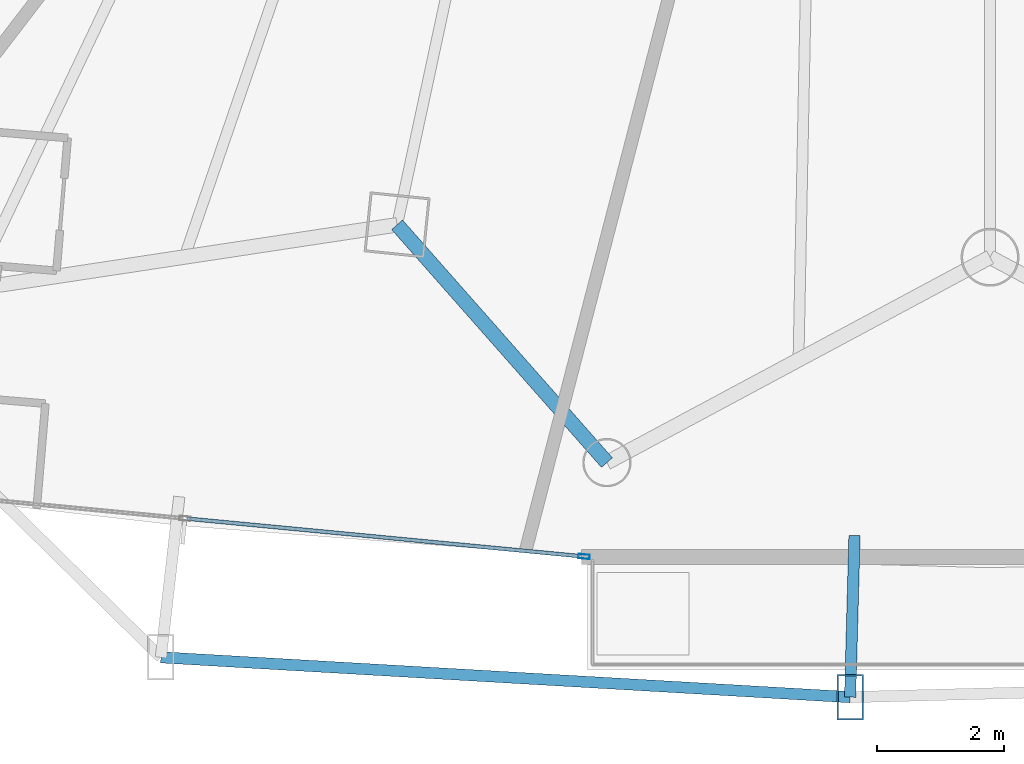
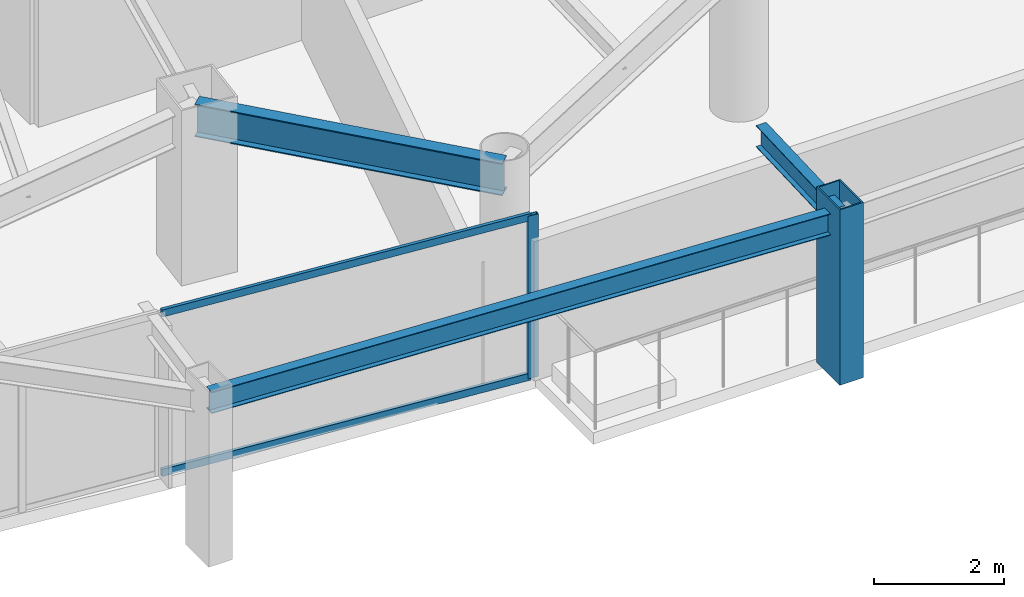
# One storey, part 6 of 34: 4 members, 3 beams, 1 element without a shape of its own.
"""IFC4 building model written with IfcOpenShell, lengths in metres."""

from ifc_helpers import new_model, si_unit, direction, frame, origin, origin_2d, place, context, subcontext, project, spatial, hollow_rectangle, i_section, extrude, material, layer, layer_set, material_profile, profile_set, type_object, element, aggregate, save


model = new_model("IFC4")

# Units and contexts
model_context = context("Model", 3, precision=1e-05, world=origin(), true_north=direction((0.0, 1.0)))
body_context = subcontext(model_context, "Body", "Model", "MODEL_VIEW")
ifc_project = project(units=[si_unit("LENGTHUNIT", "METRE"), si_unit("AREAUNIT", "SQUARE_METRE"), si_unit("VOLUMEUNIT", "CUBIC_METRE"), si_unit("PLANEANGLEUNIT", "RADIAN"), si_unit("MASSUNIT", "GRAM", prefix="KILO")], contexts=[model_context])

# Site, building, storey
site_placement = place(None, origin())
site = spatial("IfcSite", under=ifc_project, at=site_placement, CompositionType="ELEMENT")
building_placement = place(site_placement, origin())
building = spatial("IfcBuilding", under=site, at=building_placement, Name="Orvanel Arch Residences", CompositionType="ELEMENT")
storey_placement = place(building_placement, frame((0.0, 0.0, 74.14990234375)))
storey = spatial("IfcBuildingStorey", under=building, at=storey_placement, Name="L20", CompositionType="ELEMENT", Elevation=74.14990234375)

# Member
ifc_material_1 = material(Name="Structural steel AS/NZS 3678 Grade 350", Category="steel")
ifc_material_profile_1 = material_profile(ifc_material_1, hollow_rectangle(XDim=0.419921875, YDim=0.719970703125, WallThickness=0.02490234375, at=origin_2d()), Name="RHS720x420x25")
ifc_profile_set_1 = profile_set([ifc_material_profile_1], Name="Structural steel AS/NZS 3678 Grade 350")
member_type_1 = type_object("IfcMemberType", Name="CH-720RHS-EXT", PredefinedType="CHORD", material=ifc_profile_set_1)
member_1_placement = place(storey_placement, frame((30.79296875, -0.093994140625, 0.0), z_axis=(0.0, 0.0, 1.0), x_axis=(1.0, 0.0, 0.0)))
element("IfcMember", 1, at=member_1_placement, inside=storey, type_object=member_type_1, Name="L20 Outer Perimeter Frame Post 06", PredefinedType="CHORD", context=body_context, shape_type="SweptSolid", body=[
    extrude(hollow_rectangle(XDim=0.419921875, YDim=0.719970703125, WallThickness=0.02490234375, at=origin_2d()), origin(), (0.0, 0.0, 1.0), 3.300048828125),
])

# Curtain wall, member
ifc_material_2 = material(Name="Bronze-anodised aluminium AA6063-T6", Category="aluminium")
ifc_layer = layer(ifc_material_2, 0.179931640625)
ifc_layer_set = layer_set([ifc_layer], Name="Bronze-anodised aluminium AA6063-T6")
curtain_wall_type = type_object("IfcCurtainWallType", Name="CW2-LOW-SYS", PredefinedType="NOTDEFINED", material=ifc_layer_set)
curtain_wall_placement = place(storey_placement, origin())
curtain_wall = element("IfcCurtainWall", 2, at=curtain_wall_placement, inside=storey, type_object=curtain_wall_type, Name="L20 CW2-LOW-SYS Unitised Curtain Wall", PredefinedType="NOTDEFINED")
ifc_material_profile_2 = material_profile(ifc_material_2, hollow_rectangle(XDim=0.070068359375, YDim=0.179931640625, WallThickness=0.00439453125, at=origin_2d()), Name="ALU180x70x4.5")
ifc_profile_set_2 = profile_set([ifc_material_profile_2], Name="Bronze-anodised aluminium AA6063-T6")
member_type_2 = type_object("IfcMemberType", Name="MUL-180x70", PredefinedType="MULLION", material=ifc_profile_set_2)
member_2_placement = place(storey_placement, frame((26.59716796875, 2.123291015625, 0.0), z_axis=(0.0, 0.0, 1.0), x_axis=(0.095024396079, 0.995474944009, 0.0)))
member_2 = element("IfcMember", 3, at=member_2_placement, type_object=member_type_2, Name="CW-S2 mullion 3", PredefinedType="MULLION", context=body_context, shape_type="SweptSolid", body=[
    extrude(hollow_rectangle(XDim=0.070068359375, YDim=0.179931640625, WallThickness=0.00439453125, at=origin_2d()), origin(), (0.0, 0.0, 1.0), 3.06005859375),
])

# Beams
ifc_material_3 = material(Name="Structural steel AS/NZS 3679.1 Grade 300 (300 MPa)", Category="steel")
ifc_material_profile_3 = material_profile(ifc_material_3, i_section(OverallWidth=0.177978515625, OverallDepth=0.406005859375, WebThickness=0.0078125, FlangeThickness=0.0126953125, at=origin_2d()), Name="410UB59.7")
ifc_profile_set_3 = profile_set([ifc_material_profile_3], Name="Structural steel AS/NZS 3679.1 Grade 300 (300 MPa)")
beam_type_1 = type_object("IfcBeamType", Name="OB-410UB-EXT", PredefinedType="SPANDREL", material=ifc_profile_set_3)
beam_1_placement = place(storey_placement, frame((19.924072265625, 0.533935546875, 2.857177734375), z_axis=(0.998335301365, -0.057676910872, 0.0), x_axis=(0.057676910872, 0.998335301365, 0.0)))
element("IfcBeam", 4, at=beam_1_placement, inside=storey, type_object=beam_type_1, Name="L20 Outer Perimeter Floor Ring Beam 05", PredefinedType="SPANDREL", context=body_context, shape_type="SweptSolid", body=[
    extrude(i_section(OverallWidth=0.177978515625, OverallDepth=0.406005859375, WebThickness=0.0078125, FlangeThickness=0.0126953125, at=origin_2d()), origin(), (0.0, 0.0, 1.0), 10.886962890625),
])
beam_2_placement = place(storey_placement, frame((30.862060546875, 2.455078125, 2.857177734375), z_axis=(-0.027094732526, -0.999632870343, 0.0), x_axis=(0.999632870343, -0.027094732526, 0.0)))
element("IfcBeam", 5, at=beam_2_placement, inside=storey, type_object=beam_type_1, Name="L20 Outer Frame Radial Tie Beam 06", PredefinedType="SPANDREL", context=body_context, shape_type="SweptSolid", body=[
    extrude(i_section(OverallWidth=0.177978515625, OverallDepth=0.406005859375, WebThickness=0.0078125, FlangeThickness=0.0126953125, at=origin_2d()), origin(), (0.0, 0.0, 1.0), 2.550048828125),
])
ifc_material_profile_4 = material_profile(ifc_material_3, i_section(OverallWidth=0.22900390625, OverallDepth=0.612060546875, WebThickness=0.011962890625, FlangeThickness=0.01953125, at=origin_2d()), Name="610UB125")
ifc_profile_set_4 = profile_set([ifc_material_profile_4], Name="Structural steel AS/NZS 3679.1 Grade 300 (300 MPa)")
beam_type_2 = type_object("IfcBeamType", Name="SP-610UB", PredefinedType="SPANDREL", material=ifc_profile_set_4)
beam_3_placement = place(storey_placement, frame((23.64892578125, 7.35498046875, 2.754150390625), z_axis=(0.661650698195, -0.749812212209, 0.0), x_axis=(0.749812212209, 0.661650698195, 0.0)))
element("IfcBeam", 6, at=beam_3_placement, inside=storey, type_object=beam_type_2, Name="L20 Perimeter Spandrel Beam 05", PredefinedType="SPANDREL", context=body_context, shape_type="SweptSolid", body=[
    extrude(i_section(OverallWidth=0.22900390625, OverallDepth=0.612060546875, WebThickness=0.011962890625, FlangeThickness=0.01953125, at=origin_2d()), origin(), (0.0, 0.0, 1.0), 5.001220703125),
])

# Member
ifc_material_profile_5 = material_profile(ifc_material_2, hollow_rectangle(XDim=0.06005859375, YDim=0.135009765625, WallThickness=0.00390625, at=origin_2d()), Name="ALU135x60x4")
ifc_profile_set_5 = profile_set([ifc_material_profile_5], Name="Bronze-anodised aluminium AA6063-T6")
member_type_3 = type_object("IfcMemberType", Name="TRN-135x60", PredefinedType="USERDEFINED", material=ifc_profile_set_5)
member_3_placement = place(storey_placement, frame((20.33935546875, 2.720703125, 0.030029296875), z_axis=(0.995475264252, -0.095021041152, 0.0), x_axis=(0.095021041152, 0.995475264252, 0.0)))
member_3 = element("IfcMember", 7, at=member_3_placement, type_object=member_type_3, Name="CW-S2 transom 2.1", ObjectType="TRANSOM", PredefinedType="USERDEFINED", context=body_context, shape_type="SweptSolid", body=[
    extrude(hollow_rectangle(XDim=0.06005859375, YDim=0.135009765625, WallThickness=0.00390625, at=origin_2d()), origin(), (0.0, 0.0, 1.0), 6.251220703125),
])

member_4_placement = place(storey_placement, frame((20.33935546875, 2.720703125, 3.030029296875), z_axis=(0.995475264252, -0.095021041152, 0.0), x_axis=(0.095021041152, 0.995475264252, 0.0)))
member_4 = element("IfcMember", 8, at=member_4_placement, type_object=member_type_3, Name="CW-S2 transom 2.2", ObjectType="TRANSOM", PredefinedType="USERDEFINED", context=body_context, shape_type="SweptSolid", body=[
    extrude(hollow_rectangle(XDim=0.06005859375, YDim=0.135009765625, WallThickness=0.00390625, at=origin_2d()), origin(), (0.0, 0.0, 1.0), 6.251220703125),
])

aggregate(curtain_wall, [member_2, member_3, member_4])

save(model, "model.ifc")
